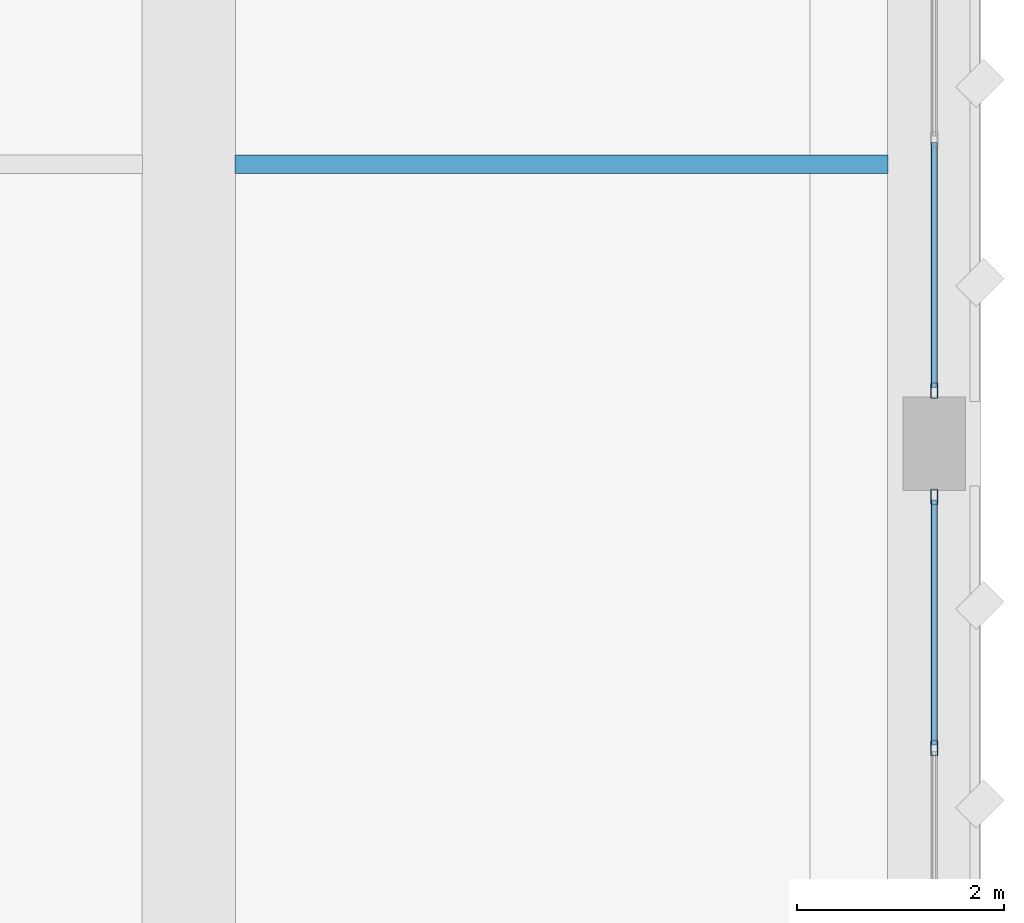
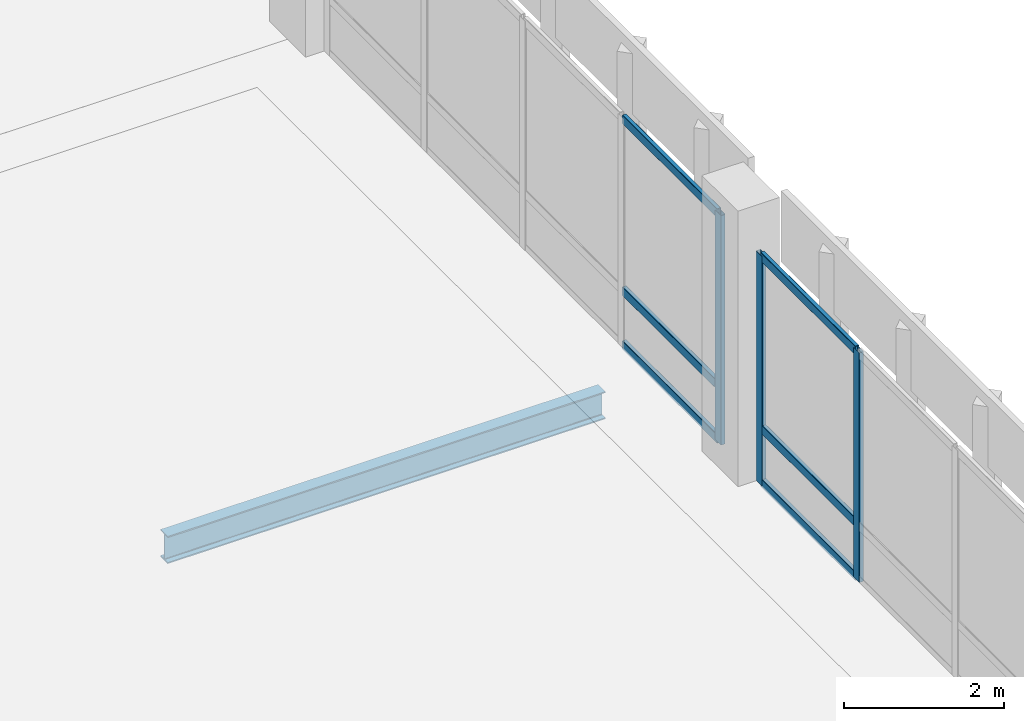
# One storey, part 86 of 158: 9 members, 1 beam, 2 elements without a shape of their own.
"""IFC4 building model written with IfcOpenShell, lengths in metres."""

import ifcopenshell
import ifcopenshell.guid

model = None  # the IFC model being written
_history = None  # IfcOwnerHistory: only IFC2X3 demands one
_inside = {}  # id of a spatial element -> (the spatial element, [elements in it])
_under = {}  # id of a project, library or spatial element -> (it, [spatial elements below it])
_declared = {}  # id of a project -> (the project, [libraries it declares])
_typed = {}  # id of a type object -> (the type object, [elements of that type])
_made_of = {}  # id of a material, layer set ... -> (it, [elements and type objects made of it])


def new_model(schema):
    """Start an empty IFC model of exactly this schema.

    Asked for "IFC4X3", IfcOpenShell would pick the latest addendum, in which some entities
    have other attributes; the version numbers below select the first issue.
    IFC2X3 requires an IfcOwnerHistory on every rooted entity: one is made here for all.
    """
    global model, _history
    if schema == "IFC4X3":
        model = ifcopenshell.file(schema_version=(4, 3, 0, 0))
    else:
        model = ifcopenshell.file(schema=schema)
    _inside.clear()
    _under.clear()
    _declared.clear()
    _typed.clear()
    _made_of.clear()
    _history = None
    if model.schema == "IFC2X3":
        org = make("IfcOrganization", Name="unknown")
        user = make(
            "IfcPersonAndOrganization",
            ThePerson=make("IfcPerson", FamilyName="unknown"),
            TheOrganization=org,
        )
        app = make(
            "IfcApplication",
            ApplicationDeveloper=org,
            Version="unknown",
            ApplicationFullName="unknown",
            ApplicationIdentifier="unknown",
        )
        _history = make(
            "IfcOwnerHistory",
            OwningUser=user,
            OwningApplication=app,
            ChangeAction="ADDED",
            CreationDate=0,
        )
    return model


def make(cls, **values):
    """One entity of the class cls with the attributes given. An attribute that is None is left unset."""
    return model.create_entity(
        cls, **{name: value for name, value in values.items() if value is not None}
    )


def rooted(cls, **values):
    """An entity with a GlobalId (a new one), such as an element, a storey or a relation."""
    return make(cls, GlobalId=ifcopenshell.guid.new(), OwnerHistory=_history, **values)


def si_unit(unit_type, name, prefix=None):
    """IfcSIUnit, for example si_unit("LENGTHUNIT", "METRE", prefix="MILLI")."""
    return make("IfcSIUnit", UnitType=unit_type, Prefix=prefix, Name=name)


def assignment(units):
    """IfcUnitAssignment: the units of a project."""
    return None if units is None else make("IfcUnitAssignment", Units=units)


def point(xyz):
    """IfcCartesianPoint."""
    return None if xyz is None else make("IfcCartesianPoint", Coordinates=xyz)


def direction(xyz):
    """IfcDirection."""
    return None if xyz is None else make("IfcDirection", DirectionRatios=xyz)


def frame(location, z_axis=None, x_axis=None):
    """IfcAxis2Placement3D, a coordinate frame: its origin and axes. An axis left out is left unset."""
    return make(
        "IfcAxis2Placement3D",
        Location=point(location),
        Axis=direction(z_axis),
        RefDirection=direction(x_axis),
    )


def frame_2d(location, x_axis=None):
    """IfcAxis2Placement2D, a coordinate frame in the plane: its origin and x axis."""
    return make(
        "IfcAxis2Placement2D", Location=point(location), RefDirection=direction(x_axis)
    )


def origin():
    """The frame at (0, 0, 0) with its axes left unset."""
    return frame((0.0, 0.0, 0.0))


def origin_2d():
    """The frame at (0, 0) in the plane with its x axis left unset."""
    return frame_2d((0.0, 0.0))


def place(relative_to, where):
    """IfcLocalPlacement: puts the frame where relative to a parent placement (None: the world)."""
    return make(
        "IfcLocalPlacement", PlacementRelTo=relative_to, RelativePlacement=where
    )


def context(
    kind, dimensions, precision=None, world=None, true_north=None, identifier=None
):
    """IfcGeometricRepresentationContext, for example the 3D "Model" context."""
    return make(
        "IfcGeometricRepresentationContext",
        ContextIdentifier=identifier,
        ContextType=kind,
        CoordinateSpaceDimension=dimensions,
        Precision=precision,
        WorldCoordinateSystem=world,
        TrueNorth=true_north,
    )


def subcontext(parent, identifier, kind, view, scale=None):
    """IfcGeometricRepresentationSubContext, for example "Body" below "Model"."""
    return make(
        "IfcGeometricRepresentationSubContext",
        ContextIdentifier=identifier,
        ContextType=kind,
        ParentContext=parent,
        TargetScale=scale,
        TargetView=view,
    )


def project(units=None, contexts=None):
    """IfcProject with its units and contexts."""
    return rooted(
        "IfcProject",
        Name="project",
        RepresentationContexts=contexts,
        UnitsInContext=assignment(units),
    )


def spatial(cls, under=None, at=None, **own):
    """A site, building, storey or space (cls), placed at a placement, below another one or the project."""
    s = rooted(cls, ObjectPlacement=at, **own)
    if under is not None:
        _under.setdefault(under.id(), (under, []))[1].append(s)
    return s


def profile(cls, at=None, kind="AREA", **sizes):
    """A parametric profile (cls). Its sizes go by their IFC names, for example OverallWidth=200.0."""
    return make(cls, ProfileType=kind, Position=at, **sizes)


def hollow_rectangle(**sizes):
    """IfcRectangleHollowProfileDef."""
    return profile("IfcRectangleHollowProfileDef", **sizes)


def i_section(**sizes):
    """IfcIShapeProfileDef."""
    return profile("IfcIShapeProfileDef", **sizes)


def extrude(swept, where, along, depth):
    """IfcExtrudedAreaSolid: the profile swept, set in the frame where, extruded along a direction by depth."""
    return make(
        "IfcExtrudedAreaSolid",
        SweptArea=swept,
        Position=where,
        ExtrudedDirection=direction(along),
        Depth=depth,
    )


def shape(context_of_items, identifier, shape_type, items):
    """IfcShapeRepresentation: the items that make up one representation, for example the "Body"."""
    return make(
        "IfcShapeRepresentation",
        ContextOfItems=context_of_items,
        RepresentationIdentifier=identifier,
        RepresentationType=shape_type,
        Items=items,
    )


def material(Name=None, Category=None):
    """IfcMaterial."""
    return make("IfcMaterial", Name=Name, Category=Category)


def material_profile(
    of_material, cross_section, Name=None, Category=None, Priority=None
):
    """IfcMaterialProfile: a cross section and its material."""
    return make(
        "IfcMaterialProfile",
        Name=Name,
        Material=of_material,
        Profile=cross_section,
        Priority=Priority,
        Category=Category,
    )


def profile_set(profiles, Name=None, composite=None):
    """IfcMaterialProfileSet."""
    return make(
        "IfcMaterialProfileSet",
        Name=Name,
        MaterialProfiles=profiles,
        CompositeProfile=composite,
    )


def made_of(thing, what):
    """Note that an element or type object is made of a material, layer set ...; save() writes the relation."""
    if what is not None:
        _made_of.setdefault(what.id(), (what, []))[1].append(thing)
    return thing


def type_object(cls, material=None, **own):
    """A type object (cls), such as IfcWallType, which elements share."""
    return made_of(rooted(cls, **own), material)


def element(
    cls,
    number,
    at=None,
    inside=None,
    cuts=None,
    type_object=None,
    material=None,
    context=None,
    identifier="Body",
    shape_type=None,
    held_by="IfcProductDefinitionShape",
    body=None,
    shapes=None,
    **own,
):
    """One element of the class cls, such as IfcWall. Its Tag is "e" and its number.

    at: its placement. inside: the storey or other place that contains it. cuts: it is an
    opening in that element (IfcRelVoidsElement). A single representation is given by context,
    identifier, shape_type and body (its items); several are given by shapes. held_by: the class
    of the entity that holds the representations. save() writes the other relations.
    """
    e = rooted(cls, Tag="e%d" % number, ObjectPlacement=at, **own)
    if body is not None:
        shapes = [shape(context, identifier, shape_type, body)]
    if shapes is not None:
        e.Representation = make(held_by, Representations=shapes)
    if inside is not None:
        _inside.setdefault(inside.id(), (inside, []))[1].append(e)
    if cuts is not None:
        rooted(
            "IfcRelVoidsElement", RelatingBuildingElement=cuts, RelatedOpeningElement=e
        )
    if type_object is not None:
        _typed.setdefault(type_object.id(), (type_object, []))[1].append(e)
    return made_of(e, material)


def aggregate(whole, parts):
    """IfcRelAggregates: a whole, such as a stair, and the parts it consists of."""
    return rooted("IfcRelAggregates", RelatingObject=whole, RelatedObjects=parts)


def save(model, path):
    """Write the relations noted so far, then the file.

    IfcRelAggregates (storeys below a building ...), IfcRelContainedInSpatialStructure (elements
    in a storey), IfcRelDefinesByType, IfcRelAssociatesMaterial and IfcRelDeclares: one each for
    every whole, place, type object, material and project.
    """
    for whole, parts in _under.values():
        aggregate(whole, parts)
    for where, things in _inside.values():
        rooted(
            "IfcRelContainedInSpatialStructure",
            RelatedElements=things,
            RelatingStructure=where,
        )
    for kind, things in _typed.values():
        rooted("IfcRelDefinesByType", RelatedObjects=things, RelatingType=kind)
    for what, things in _made_of.values():
        rooted("IfcRelAssociatesMaterial", RelatedObjects=things, RelatingMaterial=what)
    for by, libraries in _declared.values():
        rooted("IfcRelDeclares", RelatingContext=by, RelatedDefinitions=libraries)
    model.write(path)


model = new_model("IFC4")

# Units and contexts
model_context = context("Model", 3, precision=1e-05, world=origin(), true_north=direction((0.0, 1.0)))
body_context = subcontext(model_context, "Body", "Model", "MODEL_VIEW")
ifc_project = project(units=[si_unit("LENGTHUNIT", "METRE"), si_unit("AREAUNIT", "SQUARE_METRE"), si_unit("VOLUMEUNIT", "CUBIC_METRE"), si_unit("PLANEANGLEUNIT", "RADIAN"), si_unit("MASSUNIT", "GRAM", prefix="KILO")], contexts=[model_context])

# Site, building, storey
site_placement = place(None, origin())
site = spatial("IfcSite", under=ifc_project, at=site_placement, CompositionType="ELEMENT")
building_placement = place(site_placement, origin())
building = spatial("IfcBuilding", under=site, at=building_placement, Name="Lusvemor Sports Hall", CompositionType="ELEMENT")
storey_placement = place(building_placement, frame((0.0, 0.0, 10.800048828125)))
storey = spatial("IfcBuildingStorey", under=building, at=storey_placement, Name="L02", CompositionType="ELEMENT", Elevation=10.800048828125)

# Beam
ifc_material_1 = material(Name="Steel S355", Category="steel")
ifc_material_profile_1 = material_profile(ifc_material_1, i_section(OverallWidth=0.180908203125, OverallDepth=0.4169921875, WebThickness=0.010986328125, FlangeThickness=0.018310546875, FilletRadius=0.01611328125, at=origin_2d()), Name="W410x85.0")
ifc_profile_set_1 = profile_set([ifc_material_profile_1], Name="Steel S355")
beam_type = type_object("IfcBeamType", Name="BEAM_ST_410H", PredefinedType="BEAM", material=ifc_profile_set_1)
beam_placement = place(storey_placement, frame((162.445068359375, 31.5, -0.5625), z_axis=(1.0, 0.0, 0.0), x_axis=(0.0, 1.0, 0.0)))
element("IfcBeam", 1, at=beam_placement, inside=storey, type_object=beam_type, Name="Transfer Deck Beam 19-20 Row 3", PredefinedType="BEAM", context=body_context, shape_type="SweptSolid", body=[
    extrude(i_section(OverallWidth=0.180908203125, OverallDepth=0.4169921875, WebThickness=0.010986328125, FlangeThickness=0.018310546875, FilletRadius=0.01611328125, at=origin_2d()), origin(), (0.0, 0.0, 1.0), 6.309814453125),
])

# Curtain wall, members
ifc_material_2 = material(Name="Thermally broken bronze-anodized aluminium", Category="aluminium")
curtain_wall_type = type_object("IfcCurtainWallType", Name="CW_COURT_C", PredefinedType="NOTDEFINED", material=ifc_material_2)
curtain_wall_1_placement = place(storey_placement, origin())
curtain_wall_1 = element("IfcCurtainWall", 2, at=curtain_wall_1_placement, inside=storey, type_object=curtain_wall_type, Name="Curtain Wall CW-V2E-L02-2", PredefinedType="NOTDEFINED")
ifc_material_3 = material(Name="Thermally broken bronze-anodized aluminium", Category="aluminium")
ifc_material_profile_2 = material_profile(ifc_material_3, hollow_rectangle(XDim=0.06494140625, YDim=0.14990234375, WallThickness=0.00390625, InnerFilletRadius=0.00390625, OuterFilletRadius=0.008056640625, at=origin_2d()), Name="CWMUL150x65x4")
ifc_profile_set_2 = profile_set([ifc_material_profile_2], Name="Thermally broken bronze-anodized aluminium")
member_type_1 = type_object("IfcMemberType", Name="CW_MUL_B", PredefinedType="MULLION", material=ifc_profile_set_2)
member_1_placement = place(storey_placement, frame((169.199951171875, 28.28759765625, 0.0), z_axis=(0.0, 0.0, 1.0), x_axis=(1.0, 0.0, 0.0)))
member_1 = element("IfcMember", 3, at=member_1_placement, type_object=member_type_1, Name="CW03 mullion 1", PredefinedType="MULLION", context=body_context, shape_type="SweptSolid", body=[
    extrude(hollow_rectangle(XDim=0.06494140625, YDim=0.14990234375, WallThickness=0.00390625, InnerFilletRadius=0.00390625, OuterFilletRadius=0.008056640625, at=origin_2d()), origin(), (0.0, 0.0, 1.0), 3.5),
])
member_2_placement = place(storey_placement, frame((169.199951171875, 25.860107421875, 0.0), z_axis=(0.0, 0.0, 1.0), x_axis=(1.0, 0.0, 0.0)))
member_2 = element("IfcMember", 4, at=member_2_placement, type_object=member_type_1, Name="CW03 mullion 2", PredefinedType="MULLION", context=body_context, shape_type="SweptSolid", body=[
    extrude(hollow_rectangle(XDim=0.06494140625, YDim=0.14990234375, WallThickness=0.00390625, InnerFilletRadius=0.00390625, OuterFilletRadius=0.008056640625, at=origin_2d()), origin(), (0.0, 0.0, 1.0), 3.5),
])

# Curtain wall, member
curtain_wall_2_placement = place(storey_placement, origin())
curtain_wall_2 = element("IfcCurtainWall", 5, at=curtain_wall_2_placement, inside=storey, type_object=curtain_wall_type, Name="Curtain Wall CW-V2E-L02-3", PredefinedType="NOTDEFINED")
member_3_placement = place(storey_placement, frame((169.199951171875, 29.3125, 0.0), z_axis=(0.0, 0.0, 1.0), x_axis=(1.0, 0.0, 0.0)))
member_3 = element("IfcMember", 6, at=member_3_placement, type_object=member_type_1, Name="CW03 mullion 5", PredefinedType="MULLION", context=body_context, shape_type="SweptSolid", body=[
    extrude(hollow_rectangle(XDim=0.06494140625, YDim=0.14990234375, WallThickness=0.00390625, InnerFilletRadius=0.00390625, OuterFilletRadius=0.008056640625, at=origin_2d()), origin(), (0.0, 0.0, 1.0), 3.5),
])

# Member
ifc_material_4 = material(Name="Thermally broken bronze-anodized aluminium", Category="aluminium")
ifc_material_profile_3 = material_profile(ifc_material_4, hollow_rectangle(XDim=0.06005859375, YDim=0.135009765625, WallThickness=0.00390625, InnerFilletRadius=0.00390625, OuterFilletRadius=0.008056640625, at=origin_2d()), Name="CWTRN135x60x4")
ifc_profile_set_3 = profile_set([ifc_material_profile_3], Name="Thermally broken bronze-anodized aluminium")
member_type_2 = type_object("IfcMemberType", Name="CW_TRN_B", PredefinedType="USERDEFINED", material=ifc_profile_set_3)
member_4_placement = place(storey_placement, frame((169.199951171875, 28.2548828125, 0.030029296875), z_axis=(0.0, -1.0, 0.0), x_axis=(1.0, 0.0, 0.0)))
member_4 = element("IfcMember", 7, at=member_4_placement, type_object=member_type_2, Name="CW03 transom 1.1", ObjectType="TRANSOM", PredefinedType="USERDEFINED", context=body_context, shape_type="SweptSolid", body=[
    extrude(hollow_rectangle(XDim=0.06005859375, YDim=0.135009765625, WallThickness=0.00390625, InnerFilletRadius=0.00390625, OuterFilletRadius=0.008056640625, at=origin_2d()), origin(), (0.0, 0.0, 1.0), 2.3623046875),
])

member_5_placement = place(storey_placement, frame((169.199951171875, 28.2548828125, 0.849853515625), z_axis=(0.0, -1.0, 0.0), x_axis=(1.0, 0.0, 0.0)))
member_5 = element("IfcMember", 8, at=member_5_placement, type_object=member_type_2, Name="CW03 transom 1.2", ObjectType="TRANSOM", PredefinedType="USERDEFINED", context=body_context, shape_type="SweptSolid", body=[
    extrude(hollow_rectangle(XDim=0.06005859375, YDim=0.135009765625, WallThickness=0.00390625, InnerFilletRadius=0.00390625, OuterFilletRadius=0.008056640625, at=origin_2d()), origin(), (0.0, 0.0, 1.0), 2.3623046875),
])

member_6_placement = place(storey_placement, frame((169.199951171875, 28.2548828125, 3.469970703125), z_axis=(0.0, -1.0, 0.0), x_axis=(1.0, 0.0, 0.0)))
member_6 = element("IfcMember", 9, at=member_6_placement, type_object=member_type_2, Name="CW03 transom 1.3", ObjectType="TRANSOM", PredefinedType="USERDEFINED", context=body_context, shape_type="SweptSolid", body=[
    extrude(hollow_rectangle(XDim=0.06005859375, YDim=0.135009765625, WallThickness=0.00390625, InnerFilletRadius=0.00390625, OuterFilletRadius=0.008056640625, at=origin_2d()), origin(), (0.0, 0.0, 1.0), 2.3623046875),
])

aggregate(curtain_wall_1, [member_1, member_2, member_4, member_5, member_6])

member_7_placement = place(storey_placement, frame((169.199951171875, 31.70751953125, 0.030029296875), z_axis=(0.0, -1.0, 0.0), x_axis=(1.0, 0.0, 0.0)))
member_7 = element("IfcMember", 10, at=member_7_placement, type_object=member_type_2, Name="CW03 transom 4.1", ObjectType="TRANSOM", PredefinedType="USERDEFINED", context=body_context, shape_type="SweptSolid", body=[
    extrude(hollow_rectangle(XDim=0.06005859375, YDim=0.135009765625, WallThickness=0.00390625, InnerFilletRadius=0.00390625, OuterFilletRadius=0.008056640625, at=origin_2d()), origin(), (0.0, 0.0, 1.0), 2.362548828125),
])

member_8_placement = place(storey_placement, frame((169.199951171875, 31.70751953125, 0.849853515625), z_axis=(0.0, -1.0, 0.0), x_axis=(1.0, 0.0, 0.0)))
member_8 = element("IfcMember", 11, at=member_8_placement, type_object=member_type_2, Name="CW03 transom 4.2", ObjectType="TRANSOM", PredefinedType="USERDEFINED", context=body_context, shape_type="SweptSolid", body=[
    extrude(hollow_rectangle(XDim=0.06005859375, YDim=0.135009765625, WallThickness=0.00390625, InnerFilletRadius=0.00390625, OuterFilletRadius=0.008056640625, at=origin_2d()), origin(), (0.0, 0.0, 1.0), 2.362548828125),
])

member_9_placement = place(storey_placement, frame((169.199951171875, 31.70751953125, 3.469970703125), z_axis=(0.0, -1.0, 0.0), x_axis=(1.0, 0.0, 0.0)))
member_9 = element("IfcMember", 12, at=member_9_placement, type_object=member_type_2, Name="CW03 transom 4.3", ObjectType="TRANSOM", PredefinedType="USERDEFINED", context=body_context, shape_type="SweptSolid", body=[
    extrude(hollow_rectangle(XDim=0.06005859375, YDim=0.135009765625, WallThickness=0.00390625, InnerFilletRadius=0.00390625, OuterFilletRadius=0.008056640625, at=origin_2d()), origin(), (0.0, 0.0, 1.0), 2.362548828125),
])

aggregate(curtain_wall_2, [member_3, member_7, member_8, member_9])

save(model, "model.ifc")
